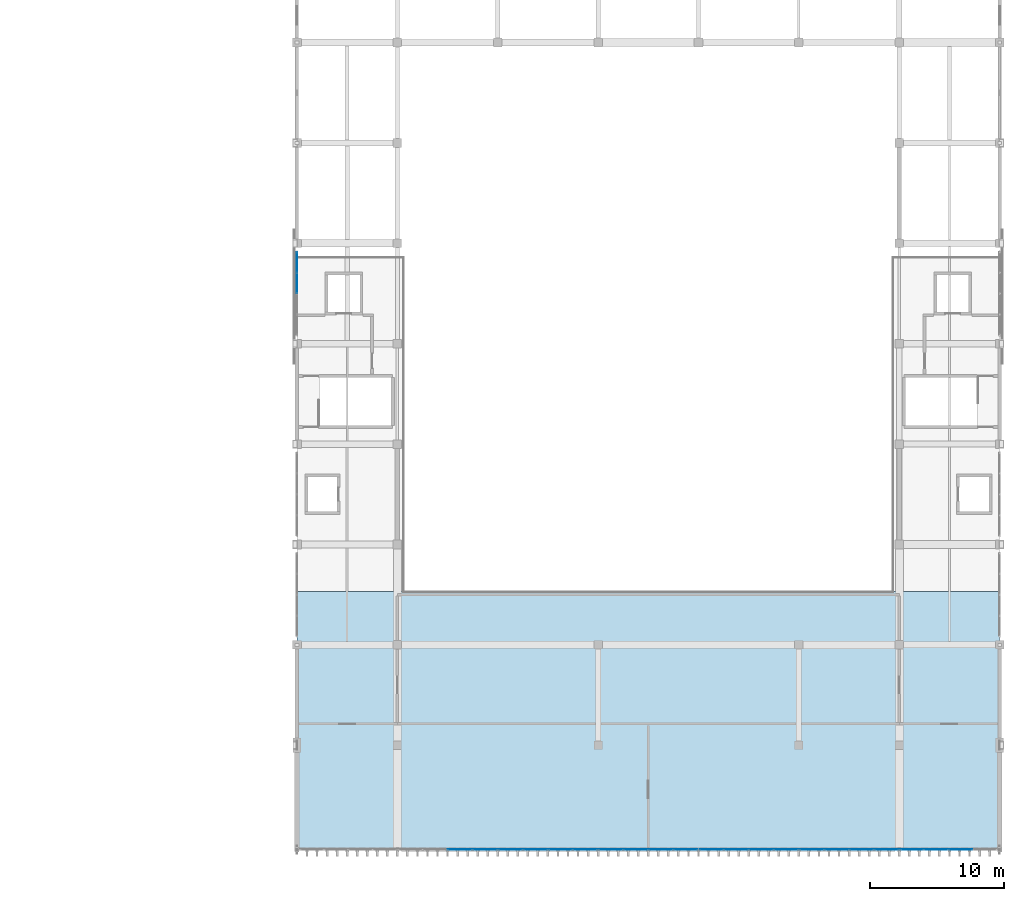
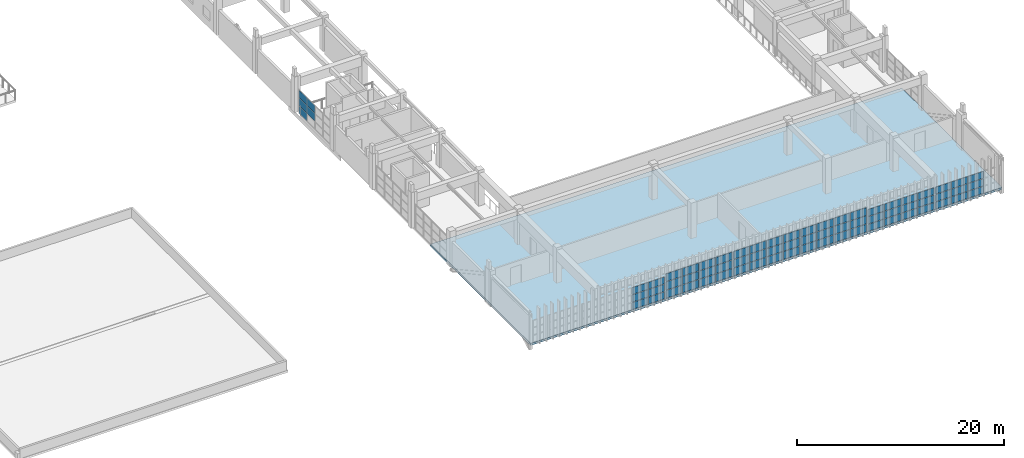
# One storey, part 25 of 51: 68 plates, 1 slab, 7 elements without a shape of their own.
"""IFC4 building model written with IfcOpenShell, lengths in metres."""

from ifc_helpers import new_model, si_unit, direction, frame, origin, origin_2d, place, context, subcontext, project, spatial, polyline, rectangle, outline, extrude, material, layer, layer_set, type_object, element, aggregate, save


model = new_model("IFC4")

# Units and contexts
model_context = context("Model", 3, precision=1e-05, world=origin(), true_north=direction((0.0, 1.0)))
body_context = subcontext(model_context, "Body", "Model", "MODEL_VIEW")
ifc_project = project(units=[si_unit("LENGTHUNIT", "METRE"), si_unit("AREAUNIT", "SQUARE_METRE"), si_unit("VOLUMEUNIT", "CUBIC_METRE"), si_unit("PLANEANGLEUNIT", "RADIAN"), si_unit("MASSUNIT", "GRAM", prefix="KILO")], contexts=[model_context])

# Site, building, storey
site_placement = place(None, origin())
site = spatial("IfcSite", under=ifc_project, at=site_placement, CompositionType="ELEMENT")
building_placement = place(site_placement, origin())
building = spatial("IfcBuilding", under=site, at=building_placement, Name="Qasida Concert Hall", CompositionType="ELEMENT")
storey_placement = place(building_placement, frame((0.0, 0.0, 21.0)))
storey = spatial("IfcBuildingStorey", under=building, at=storey_placement, Name="L05", CompositionType="ELEMENT", Elevation=21.0)

# Curtain wall, plates
ifc_material_1 = material(Name="Architectural bronze-anodized aluminium and low-E glass", Category="aluminium")
curtain_wall_type = type_object("IfcCurtainWallType", Name="CW-05", PredefinedType="NOTDEFINED", material=ifc_material_1)
curtain_wall_1_placement = place(storey_placement, origin())
curtain_wall_1 = element("IfcCurtainWall", 1, at=curtain_wall_1_placement, inside=storey, type_object=curtain_wall_type, Name="L05 curtain wall CW-05 0030", PredefinedType="NOTDEFINED")
ifc_material_2 = material(Name="Solar-control low-E double glazing", Category="glass")
ifc_layer_1 = layer(ifc_material_2, 0.028076171875, Name="Solar-control low-E double glazing")
ifc_layer_set_1 = layer_set([ifc_layer_1], Name="Solar-control low-E double glazing")
plate_type = type_object("IfcPlateType", Name="PLT-CWP-3", PredefinedType="CURTAIN_PANEL", material=ifc_layer_set_1)
plate_1_placement = place(storey_placement, frame((64.6826171875, 14.699951171875, 0.06005859375), z_axis=(0.0, 0.0, 1.0), x_axis=(1.0, 0.0, 0.0)))
plate_1 = element("IfcPlate", 2, at=plate_1_placement, type_object=plate_type, Name="CW-05 panel 3.1", PredefinedType="CURTAIN_PANEL", context=body_context, shape_type="SweptSolid", body=[
    extrude(rectangle(XDim=1.804931640625, YDim=0.028076171875, at=origin_2d()), origin(), (0.0, 0.0, 1.0), 0.806640625),
])
plate_2_placement = place(storey_placement, frame((64.6826171875, 14.699951171875, 0.9267578125), z_axis=(0.0, 0.0, 1.0), x_axis=(1.0, 0.0, 0.0)))
plate_2 = element("IfcPlate", 3, at=plate_2_placement, type_object=plate_type, Name="CW-05 panel 3.2", PredefinedType="CURTAIN_PANEL", context=body_context, shape_type="SweptSolid", body=[
    extrude(rectangle(XDim=1.804931640625, YDim=0.028076171875, at=origin_2d()), origin(), (0.0, 0.0, 1.0), 0.836669921875),
])
plate_3_placement = place(storey_placement, frame((64.6826171875, 14.699951171875, 1.8232421875), z_axis=(0.0, 0.0, 1.0), x_axis=(1.0, 0.0, 0.0)))
plate_3 = element("IfcPlate", 4, at=plate_3_placement, type_object=plate_type, Name="CW-05 panel 3.3", PredefinedType="CURTAIN_PANEL", context=body_context, shape_type="SweptSolid", body=[
    extrude(rectangle(XDim=1.804931640625, YDim=0.028076171875, at=origin_2d()), origin(), (0.0, 0.0, 1.0), 0.806640625),
])
plate_4_placement = place(storey_placement, frame((66.532470703125, 14.699951171875, 0.06005859375), z_axis=(0.0, 0.0, 1.0), x_axis=(1.0, 0.0, 0.0)))
plate_4 = element("IfcPlate", 5, at=plate_4_placement, type_object=plate_type, Name="CW-05 panel 4.1", PredefinedType="CURTAIN_PANEL", context=body_context, shape_type="SweptSolid", body=[
    extrude(rectangle(XDim=1.77490234375, YDim=0.028076171875, at=origin_2d()), origin(), (0.0, 0.0, 1.0), 0.806640625),
])
plate_5_placement = place(storey_placement, frame((66.532470703125, 14.699951171875, 0.9267578125), z_axis=(0.0, 0.0, 1.0), x_axis=(1.0, 0.0, 0.0)))
plate_5 = element("IfcPlate", 6, at=plate_5_placement, type_object=plate_type, Name="CW-05 panel 4.2", PredefinedType="CURTAIN_PANEL", context=body_context, shape_type="SweptSolid", body=[
    extrude(rectangle(XDim=1.77490234375, YDim=0.028076171875, at=origin_2d()), origin(), (0.0, 0.0, 1.0), 0.836669921875),
])
plate_6_placement = place(storey_placement, frame((66.532470703125, 14.699951171875, 1.8232421875), z_axis=(0.0, 0.0, 1.0), x_axis=(1.0, 0.0, 0.0)))
plate_6 = element("IfcPlate", 7, at=plate_6_placement, type_object=plate_type, Name="CW-05 panel 4.3", PredefinedType="CURTAIN_PANEL", context=body_context, shape_type="SweptSolid", body=[
    extrude(rectangle(XDim=1.77490234375, YDim=0.028076171875, at=origin_2d()), origin(), (0.0, 0.0, 1.0), 0.806640625),
])
aggregate(curtain_wall_1, [plate_1, plate_2, plate_3, plate_4, plate_5, plate_6])

curtain_wall_2_placement = place(storey_placement, origin())
curtain_wall_2 = element("IfcCurtainWall", 8, at=curtain_wall_2_placement, inside=storey, type_object=curtain_wall_type, Name="L05 curtain wall CW-05 0031", PredefinedType="NOTDEFINED")
plate_7_placement = place(storey_placement, frame((68.467529296875, 14.699951171875, 0.06005859375), z_axis=(0.0, 0.0, 1.0), x_axis=(1.0, 0.0, 0.0)))
plate_7 = element("IfcPlate", 9, at=plate_7_placement, type_object=plate_type, Name="CW-05 panel 1.1", PredefinedType="CURTAIN_PANEL", context=body_context, shape_type="SweptSolid", body=[
    extrude(rectangle(XDim=1.77490234375, YDim=0.028076171875, at=origin_2d()), origin(), (0.0, 0.0, 1.0), 0.90673828125),
])
plate_8_placement = place(storey_placement, frame((68.467529296875, 14.699951171875, 1.02685546875), z_axis=(0.0, 0.0, 1.0), x_axis=(1.0, 0.0, 0.0)))
plate_8 = element("IfcPlate", 10, at=plate_8_placement, type_object=plate_type, Name="CW-05 panel 1.2", PredefinedType="CURTAIN_PANEL", context=body_context, shape_type="SweptSolid", body=[
    extrude(rectangle(XDim=1.77490234375, YDim=0.028076171875, at=origin_2d()), origin(), (0.0, 0.0, 1.0), 0.9365234375),
])
plate_9_placement = place(storey_placement, frame((68.467529296875, 14.699951171875, 2.023193359375), z_axis=(0.0, 0.0, 1.0), x_axis=(1.0, 0.0, 0.0)))
plate_9 = element("IfcPlate", 11, at=plate_9_placement, type_object=plate_type, Name="CW-05 panel 1.3", PredefinedType="CURTAIN_PANEL", context=body_context, shape_type="SweptSolid", body=[
    extrude(rectangle(XDim=1.77490234375, YDim=0.028076171875, at=origin_2d()), origin(), (0.0, 0.0, 1.0), 0.90673828125),
])
plate_10_placement = place(storey_placement, frame((70.3173828125, 14.699951171875, 0.06005859375), z_axis=(0.0, 0.0, 1.0), x_axis=(1.0, 0.0, 0.0)))
plate_10 = element("IfcPlate", 12, at=plate_10_placement, type_object=plate_type, Name="CW-05 panel 2.1", PredefinedType="CURTAIN_PANEL", context=body_context, shape_type="SweptSolid", body=[
    extrude(rectangle(XDim=1.804931640625, YDim=0.028076171875, at=origin_2d()), origin(), (0.0, 0.0, 1.0), 0.90673828125),
])
plate_11_placement = place(storey_placement, frame((70.3173828125, 14.699951171875, 1.02685546875), z_axis=(0.0, 0.0, 1.0), x_axis=(1.0, 0.0, 0.0)))
plate_11 = element("IfcPlate", 13, at=plate_11_placement, type_object=plate_type, Name="CW-05 panel 2.2", PredefinedType="CURTAIN_PANEL", context=body_context, shape_type="SweptSolid", body=[
    extrude(rectangle(XDim=1.804931640625, YDim=0.028076171875, at=origin_2d()), origin(), (0.0, 0.0, 1.0), 0.9365234375),
])
plate_12_placement = place(storey_placement, frame((70.3173828125, 14.699951171875, 2.023193359375), z_axis=(0.0, 0.0, 1.0), x_axis=(1.0, 0.0, 0.0)))
plate_12 = element("IfcPlate", 14, at=plate_12_placement, type_object=plate_type, Name="CW-05 panel 2.3", PredefinedType="CURTAIN_PANEL", context=body_context, shape_type="SweptSolid", body=[
    extrude(rectangle(XDim=1.804931640625, YDim=0.028076171875, at=origin_2d()), origin(), (0.0, 0.0, 1.0), 0.90673828125),
])
plate_13_placement = place(storey_placement, frame((72.1826171875, 14.699951171875, 0.06005859375), z_axis=(0.0, 0.0, 1.0), x_axis=(1.0, 0.0, 0.0)))
plate_13 = element("IfcPlate", 15, at=plate_13_placement, type_object=plate_type, Name="CW-05 panel 3.1", PredefinedType="CURTAIN_PANEL", context=body_context, shape_type="SweptSolid", body=[
    extrude(rectangle(XDim=1.804931640625, YDim=0.028076171875, at=origin_2d()), origin(), (0.0, 0.0, 1.0), 0.90673828125),
])
plate_14_placement = place(storey_placement, frame((72.1826171875, 14.699951171875, 1.02685546875), z_axis=(0.0, 0.0, 1.0), x_axis=(1.0, 0.0, 0.0)))
plate_14 = element("IfcPlate", 16, at=plate_14_placement, type_object=plate_type, Name="CW-05 panel 3.2", PredefinedType="CURTAIN_PANEL", context=body_context, shape_type="SweptSolid", body=[
    extrude(rectangle(XDim=1.804931640625, YDim=0.028076171875, at=origin_2d()), origin(), (0.0, 0.0, 1.0), 0.9365234375),
])
plate_15_placement = place(storey_placement, frame((72.1826171875, 14.699951171875, 2.023193359375), z_axis=(0.0, 0.0, 1.0), x_axis=(1.0, 0.0, 0.0)))
plate_15 = element("IfcPlate", 17, at=plate_15_placement, type_object=plate_type, Name="CW-05 panel 3.3", PredefinedType="CURTAIN_PANEL", context=body_context, shape_type="SweptSolid", body=[
    extrude(rectangle(XDim=1.804931640625, YDim=0.028076171875, at=origin_2d()), origin(), (0.0, 0.0, 1.0), 0.90673828125),
])
plate_16_placement = place(storey_placement, frame((74.032470703125, 14.699951171875, 0.06005859375), z_axis=(0.0, 0.0, 1.0), x_axis=(1.0, 0.0, 0.0)))
plate_16 = element("IfcPlate", 18, at=plate_16_placement, type_object=plate_type, Name="CW-05 panel 4.1", PredefinedType="CURTAIN_PANEL", context=body_context, shape_type="SweptSolid", body=[
    extrude(rectangle(XDim=1.77490234375, YDim=0.028076171875, at=origin_2d()), origin(), (0.0, 0.0, 1.0), 0.90673828125),
])
plate_17_placement = place(storey_placement, frame((74.032470703125, 14.699951171875, 1.02685546875), z_axis=(0.0, 0.0, 1.0), x_axis=(1.0, 0.0, 0.0)))
plate_17 = element("IfcPlate", 19, at=plate_17_placement, type_object=plate_type, Name="CW-05 panel 4.2", PredefinedType="CURTAIN_PANEL", context=body_context, shape_type="SweptSolid", body=[
    extrude(rectangle(XDim=1.77490234375, YDim=0.028076171875, at=origin_2d()), origin(), (0.0, 0.0, 1.0), 0.9365234375),
])
plate_18_placement = place(storey_placement, frame((74.032470703125, 14.699951171875, 2.023193359375), z_axis=(0.0, 0.0, 1.0), x_axis=(1.0, 0.0, 0.0)))
plate_18 = element("IfcPlate", 20, at=plate_18_placement, type_object=plate_type, Name="CW-05 panel 4.3", PredefinedType="CURTAIN_PANEL", context=body_context, shape_type="SweptSolid", body=[
    extrude(rectangle(XDim=1.77490234375, YDim=0.028076171875, at=origin_2d()), origin(), (0.0, 0.0, 1.0), 0.90673828125),
])
aggregate(curtain_wall_2, [plate_7, plate_8, plate_9, plate_10, plate_11, plate_12, plate_13, plate_14, plate_15, plate_16, plate_17, plate_18])

curtain_wall_3_placement = place(storey_placement, origin())
curtain_wall_3 = element("IfcCurtainWall", 21, at=curtain_wall_3_placement, inside=storey, type_object=curtain_wall_type, Name="L05 curtain wall CW-05 0032", PredefinedType="NOTDEFINED")
plate_19_placement = place(storey_placement, frame((75.967529296875, 14.699951171875, 0.06005859375), z_axis=(0.0, 0.0, 1.0), x_axis=(1.0, 0.0, 0.0)))
plate_19 = element("IfcPlate", 22, at=plate_19_placement, type_object=plate_type, Name="CW-05 panel 1.1", PredefinedType="CURTAIN_PANEL", context=body_context, shape_type="SweptSolid", body=[
    extrude(rectangle(XDim=1.77490234375, YDim=0.028076171875, at=origin_2d()), origin(), (0.0, 0.0, 1.0), 0.90673828125),
])
plate_20_placement = place(storey_placement, frame((75.967529296875, 14.699951171875, 1.02685546875), z_axis=(0.0, 0.0, 1.0), x_axis=(1.0, 0.0, 0.0)))
plate_20 = element("IfcPlate", 23, at=plate_20_placement, type_object=plate_type, Name="CW-05 panel 1.2", PredefinedType="CURTAIN_PANEL", context=body_context, shape_type="SweptSolid", body=[
    extrude(rectangle(XDim=1.77490234375, YDim=0.028076171875, at=origin_2d()), origin(), (0.0, 0.0, 1.0), 0.9365234375),
])
plate_21_placement = place(storey_placement, frame((75.967529296875, 14.699951171875, 2.023193359375), z_axis=(0.0, 0.0, 1.0), x_axis=(1.0, 0.0, 0.0)))
plate_21 = element("IfcPlate", 24, at=plate_21_placement, type_object=plate_type, Name="CW-05 panel 1.3", PredefinedType="CURTAIN_PANEL", context=body_context, shape_type="SweptSolid", body=[
    extrude(rectangle(XDim=1.77490234375, YDim=0.028076171875, at=origin_2d()), origin(), (0.0, 0.0, 1.0), 0.90673828125),
])
plate_22_placement = place(storey_placement, frame((77.8173828125, 14.699951171875, 0.06005859375), z_axis=(0.0, 0.0, 1.0), x_axis=(1.0, 0.0, 0.0)))
plate_22 = element("IfcPlate", 25, at=plate_22_placement, type_object=plate_type, Name="CW-05 panel 2.1", PredefinedType="CURTAIN_PANEL", context=body_context, shape_type="SweptSolid", body=[
    extrude(rectangle(XDim=1.804931640625, YDim=0.028076171875, at=origin_2d()), origin(), (0.0, 0.0, 1.0), 0.90673828125),
])
plate_23_placement = place(storey_placement, frame((77.8173828125, 14.699951171875, 1.02685546875), z_axis=(0.0, 0.0, 1.0), x_axis=(1.0, 0.0, 0.0)))
plate_23 = element("IfcPlate", 26, at=plate_23_placement, type_object=plate_type, Name="CW-05 panel 2.2", PredefinedType="CURTAIN_PANEL", context=body_context, shape_type="SweptSolid", body=[
    extrude(rectangle(XDim=1.804931640625, YDim=0.028076171875, at=origin_2d()), origin(), (0.0, 0.0, 1.0), 0.9365234375),
])
plate_24_placement = place(storey_placement, frame((77.8173828125, 14.699951171875, 2.023193359375), z_axis=(0.0, 0.0, 1.0), x_axis=(1.0, 0.0, 0.0)))
plate_24 = element("IfcPlate", 27, at=plate_24_placement, type_object=plate_type, Name="CW-05 panel 2.3", PredefinedType="CURTAIN_PANEL", context=body_context, shape_type="SweptSolid", body=[
    extrude(rectangle(XDim=1.804931640625, YDim=0.028076171875, at=origin_2d()), origin(), (0.0, 0.0, 1.0), 0.90673828125),
])
plate_25_placement = place(storey_placement, frame((79.6826171875, 14.699951171875, 0.06005859375), z_axis=(0.0, 0.0, 1.0), x_axis=(1.0, 0.0, 0.0)))
plate_25 = element("IfcPlate", 28, at=plate_25_placement, type_object=plate_type, Name="CW-05 panel 3.1", PredefinedType="CURTAIN_PANEL", context=body_context, shape_type="SweptSolid", body=[
    extrude(rectangle(XDim=1.804931640625, YDim=0.028076171875, at=origin_2d()), origin(), (0.0, 0.0, 1.0), 0.90673828125),
])
plate_26_placement = place(storey_placement, frame((79.6826171875, 14.699951171875, 1.02685546875), z_axis=(0.0, 0.0, 1.0), x_axis=(1.0, 0.0, 0.0)))
plate_26 = element("IfcPlate", 29, at=plate_26_placement, type_object=plate_type, Name="CW-05 panel 3.2", PredefinedType="CURTAIN_PANEL", context=body_context, shape_type="SweptSolid", body=[
    extrude(rectangle(XDim=1.804931640625, YDim=0.028076171875, at=origin_2d()), origin(), (0.0, 0.0, 1.0), 0.9365234375),
])
plate_27_placement = place(storey_placement, frame((79.6826171875, 14.699951171875, 2.023193359375), z_axis=(0.0, 0.0, 1.0), x_axis=(1.0, 0.0, 0.0)))
plate_27 = element("IfcPlate", 30, at=plate_27_placement, type_object=plate_type, Name="CW-05 panel 3.3", PredefinedType="CURTAIN_PANEL", context=body_context, shape_type="SweptSolid", body=[
    extrude(rectangle(XDim=1.804931640625, YDim=0.028076171875, at=origin_2d()), origin(), (0.0, 0.0, 1.0), 0.90673828125),
])
plate_28_placement = place(storey_placement, frame((81.532470703125, 14.699951171875, 0.06005859375), z_axis=(0.0, 0.0, 1.0), x_axis=(1.0, 0.0, 0.0)))
plate_28 = element("IfcPlate", 31, at=plate_28_placement, type_object=plate_type, Name="CW-05 panel 4.1", PredefinedType="CURTAIN_PANEL", context=body_context, shape_type="SweptSolid", body=[
    extrude(rectangle(XDim=1.77490234375, YDim=0.028076171875, at=origin_2d()), origin(), (0.0, 0.0, 1.0), 0.90673828125),
])
plate_29_placement = place(storey_placement, frame((81.532470703125, 14.699951171875, 1.02685546875), z_axis=(0.0, 0.0, 1.0), x_axis=(1.0, 0.0, 0.0)))
plate_29 = element("IfcPlate", 32, at=plate_29_placement, type_object=plate_type, Name="CW-05 panel 4.2", PredefinedType="CURTAIN_PANEL", context=body_context, shape_type="SweptSolid", body=[
    extrude(rectangle(XDim=1.77490234375, YDim=0.028076171875, at=origin_2d()), origin(), (0.0, 0.0, 1.0), 0.9365234375),
])
plate_30_placement = place(storey_placement, frame((81.532470703125, 14.699951171875, 2.023193359375), z_axis=(0.0, 0.0, 1.0), x_axis=(1.0, 0.0, 0.0)))
plate_30 = element("IfcPlate", 33, at=plate_30_placement, type_object=plate_type, Name="CW-05 panel 4.3", PredefinedType="CURTAIN_PANEL", context=body_context, shape_type="SweptSolid", body=[
    extrude(rectangle(XDim=1.77490234375, YDim=0.028076171875, at=origin_2d()), origin(), (0.0, 0.0, 1.0), 0.90673828125),
])
aggregate(curtain_wall_3, [plate_19, plate_20, plate_21, plate_22, plate_23, plate_24, plate_25, plate_26, plate_27, plate_28, plate_29, plate_30])

curtain_wall_4_placement = place(storey_placement, origin())
curtain_wall_4 = element("IfcCurtainWall", 34, at=curtain_wall_4_placement, inside=storey, type_object=curtain_wall_type, Name="L05 curtain wall CW-05 0033", PredefinedType="NOTDEFINED")
plate_31_placement = place(storey_placement, frame((83.467529296875, 14.699951171875, 0.06005859375), z_axis=(0.0, 0.0, 1.0), x_axis=(1.0, 0.0, 0.0)))
plate_31 = element("IfcPlate", 35, at=plate_31_placement, type_object=plate_type, Name="CW-05 panel 1.1", PredefinedType="CURTAIN_PANEL", context=body_context, shape_type="SweptSolid", body=[
    extrude(rectangle(XDim=1.77490234375, YDim=0.028076171875, at=origin_2d()), origin(), (0.0, 0.0, 1.0), 0.90673828125),
])
plate_32_placement = place(storey_placement, frame((83.467529296875, 14.699951171875, 1.02685546875), z_axis=(0.0, 0.0, 1.0), x_axis=(1.0, 0.0, 0.0)))
plate_32 = element("IfcPlate", 36, at=plate_32_placement, type_object=plate_type, Name="CW-05 panel 1.2", PredefinedType="CURTAIN_PANEL", context=body_context, shape_type="SweptSolid", body=[
    extrude(rectangle(XDim=1.77490234375, YDim=0.028076171875, at=origin_2d()), origin(), (0.0, 0.0, 1.0), 0.9365234375),
])
plate_33_placement = place(storey_placement, frame((83.467529296875, 14.699951171875, 2.023193359375), z_axis=(0.0, 0.0, 1.0), x_axis=(1.0, 0.0, 0.0)))
plate_33 = element("IfcPlate", 37, at=plate_33_placement, type_object=plate_type, Name="CW-05 panel 1.3", PredefinedType="CURTAIN_PANEL", context=body_context, shape_type="SweptSolid", body=[
    extrude(rectangle(XDim=1.77490234375, YDim=0.028076171875, at=origin_2d()), origin(), (0.0, 0.0, 1.0), 0.90673828125),
])
plate_34_placement = place(storey_placement, frame((85.3173828125, 14.699951171875, 0.06005859375), z_axis=(0.0, 0.0, 1.0), x_axis=(1.0, 0.0, 0.0)))
plate_34 = element("IfcPlate", 38, at=plate_34_placement, type_object=plate_type, Name="CW-05 panel 2.1", PredefinedType="CURTAIN_PANEL", context=body_context, shape_type="SweptSolid", body=[
    extrude(rectangle(XDim=1.804931640625, YDim=0.028076171875, at=origin_2d()), origin(), (0.0, 0.0, 1.0), 0.90673828125),
])
plate_35_placement = place(storey_placement, frame((85.3173828125, 14.699951171875, 1.02685546875), z_axis=(0.0, 0.0, 1.0), x_axis=(1.0, 0.0, 0.0)))
plate_35 = element("IfcPlate", 39, at=plate_35_placement, type_object=plate_type, Name="CW-05 panel 2.2", PredefinedType="CURTAIN_PANEL", context=body_context, shape_type="SweptSolid", body=[
    extrude(rectangle(XDim=1.804931640625, YDim=0.028076171875, at=origin_2d()), origin(), (0.0, 0.0, 1.0), 0.9365234375),
])
plate_36_placement = place(storey_placement, frame((85.3173828125, 14.699951171875, 2.023193359375), z_axis=(0.0, 0.0, 1.0), x_axis=(1.0, 0.0, 0.0)))
plate_36 = element("IfcPlate", 40, at=plate_36_placement, type_object=plate_type, Name="CW-05 panel 2.3", PredefinedType="CURTAIN_PANEL", context=body_context, shape_type="SweptSolid", body=[
    extrude(rectangle(XDim=1.804931640625, YDim=0.028076171875, at=origin_2d()), origin(), (0.0, 0.0, 1.0), 0.90673828125),
])
plate_37_placement = place(storey_placement, frame((87.1826171875, 14.699951171875, 0.06005859375), z_axis=(0.0, 0.0, 1.0), x_axis=(1.0, 0.0, 0.0)))
plate_37 = element("IfcPlate", 41, at=plate_37_placement, type_object=plate_type, Name="CW-05 panel 3.1", PredefinedType="CURTAIN_PANEL", context=body_context, shape_type="SweptSolid", body=[
    extrude(rectangle(XDim=1.804931640625, YDim=0.028076171875, at=origin_2d()), origin(), (0.0, 0.0, 1.0), 0.90673828125),
])
plate_38_placement = place(storey_placement, frame((87.1826171875, 14.699951171875, 1.02685546875), z_axis=(0.0, 0.0, 1.0), x_axis=(1.0, 0.0, 0.0)))
plate_38 = element("IfcPlate", 42, at=plate_38_placement, type_object=plate_type, Name="CW-05 panel 3.2", PredefinedType="CURTAIN_PANEL", context=body_context, shape_type="SweptSolid", body=[
    extrude(rectangle(XDim=1.804931640625, YDim=0.028076171875, at=origin_2d()), origin(), (0.0, 0.0, 1.0), 0.9365234375),
])
plate_39_placement = place(storey_placement, frame((87.1826171875, 14.699951171875, 2.023193359375), z_axis=(0.0, 0.0, 1.0), x_axis=(1.0, 0.0, 0.0)))
plate_39 = element("IfcPlate", 43, at=plate_39_placement, type_object=plate_type, Name="CW-05 panel 3.3", PredefinedType="CURTAIN_PANEL", context=body_context, shape_type="SweptSolid", body=[
    extrude(rectangle(XDim=1.804931640625, YDim=0.028076171875, at=origin_2d()), origin(), (0.0, 0.0, 1.0), 0.90673828125),
])
plate_40_placement = place(storey_placement, frame((89.032470703125, 14.699951171875, 0.06005859375), z_axis=(0.0, 0.0, 1.0), x_axis=(1.0, 0.0, 0.0)))
plate_40 = element("IfcPlate", 44, at=plate_40_placement, type_object=plate_type, Name="CW-05 panel 4.1", PredefinedType="CURTAIN_PANEL", context=body_context, shape_type="SweptSolid", body=[
    extrude(rectangle(XDim=1.77490234375, YDim=0.028076171875, at=origin_2d()), origin(), (0.0, 0.0, 1.0), 0.90673828125),
])
plate_41_placement = place(storey_placement, frame((89.032470703125, 14.699951171875, 1.02685546875), z_axis=(0.0, 0.0, 1.0), x_axis=(1.0, 0.0, 0.0)))
plate_41 = element("IfcPlate", 45, at=plate_41_placement, type_object=plate_type, Name="CW-05 panel 4.2", PredefinedType="CURTAIN_PANEL", context=body_context, shape_type="SweptSolid", body=[
    extrude(rectangle(XDim=1.77490234375, YDim=0.028076171875, at=origin_2d()), origin(), (0.0, 0.0, 1.0), 0.9365234375),
])
plate_42_placement = place(storey_placement, frame((89.032470703125, 14.699951171875, 2.023193359375), z_axis=(0.0, 0.0, 1.0), x_axis=(1.0, 0.0, 0.0)))
plate_42 = element("IfcPlate", 46, at=plate_42_placement, type_object=plate_type, Name="CW-05 panel 4.3", PredefinedType="CURTAIN_PANEL", context=body_context, shape_type="SweptSolid", body=[
    extrude(rectangle(XDim=1.77490234375, YDim=0.028076171875, at=origin_2d()), origin(), (0.0, 0.0, 1.0), 0.90673828125),
])
aggregate(curtain_wall_4, [plate_31, plate_32, plate_33, plate_34, plate_35, plate_36, plate_37, plate_38, plate_39, plate_40, plate_41, plate_42])

curtain_wall_5_placement = place(storey_placement, origin())
curtain_wall_5 = element("IfcCurtainWall", 47, at=curtain_wall_5_placement, inside=storey, type_object=curtain_wall_type, Name="L05 curtain wall CW-05 0034", PredefinedType="NOTDEFINED")
plate_43_placement = place(storey_placement, frame((90.967529296875, 14.699951171875, 0.06005859375), z_axis=(0.0, 0.0, 1.0), x_axis=(1.0, 0.0, 0.0)))
plate_43 = element("IfcPlate", 48, at=plate_43_placement, type_object=plate_type, Name="CW-05 panel 1.1", PredefinedType="CURTAIN_PANEL", context=body_context, shape_type="SweptSolid", body=[
    extrude(rectangle(XDim=1.77490234375, YDim=0.028076171875, at=origin_2d()), origin(), (0.0, 0.0, 1.0), 0.806640625),
])
plate_44_placement = place(storey_placement, frame((90.967529296875, 14.699951171875, 0.9267578125), z_axis=(0.0, 0.0, 1.0), x_axis=(1.0, 0.0, 0.0)))
plate_44 = element("IfcPlate", 49, at=plate_44_placement, type_object=plate_type, Name="CW-05 panel 1.2", PredefinedType="CURTAIN_PANEL", context=body_context, shape_type="SweptSolid", body=[
    extrude(rectangle(XDim=1.77490234375, YDim=0.028076171875, at=origin_2d()), origin(), (0.0, 0.0, 1.0), 0.836669921875),
])
plate_45_placement = place(storey_placement, frame((90.967529296875, 14.699951171875, 1.8232421875), z_axis=(0.0, 0.0, 1.0), x_axis=(1.0, 0.0, 0.0)))
plate_45 = element("IfcPlate", 50, at=plate_45_placement, type_object=plate_type, Name="CW-05 panel 1.3", PredefinedType="CURTAIN_PANEL", context=body_context, shape_type="SweptSolid", body=[
    extrude(rectangle(XDim=1.77490234375, YDim=0.028076171875, at=origin_2d()), origin(), (0.0, 0.0, 1.0), 0.806640625),
])
plate_46_placement = place(storey_placement, frame((92.8173828125, 14.699951171875, 0.06005859375), z_axis=(0.0, 0.0, 1.0), x_axis=(1.0, 0.0, 0.0)))
plate_46 = element("IfcPlate", 51, at=plate_46_placement, type_object=plate_type, Name="CW-05 panel 2.1", PredefinedType="CURTAIN_PANEL", context=body_context, shape_type="SweptSolid", body=[
    extrude(rectangle(XDim=1.804931640625, YDim=0.028076171875, at=origin_2d()), origin(), (0.0, 0.0, 1.0), 0.806640625),
])
plate_47_placement = place(storey_placement, frame((92.8173828125, 14.699951171875, 0.9267578125), z_axis=(0.0, 0.0, 1.0), x_axis=(1.0, 0.0, 0.0)))
plate_47 = element("IfcPlate", 52, at=plate_47_placement, type_object=plate_type, Name="CW-05 panel 2.2", PredefinedType="CURTAIN_PANEL", context=body_context, shape_type="SweptSolid", body=[
    extrude(rectangle(XDim=1.804931640625, YDim=0.028076171875, at=origin_2d()), origin(), (0.0, 0.0, 1.0), 0.836669921875),
])
plate_48_placement = place(storey_placement, frame((92.8173828125, 14.699951171875, 1.8232421875), z_axis=(0.0, 0.0, 1.0), x_axis=(1.0, 0.0, 0.0)))
plate_48 = element("IfcPlate", 53, at=plate_48_placement, type_object=plate_type, Name="CW-05 panel 2.3", PredefinedType="CURTAIN_PANEL", context=body_context, shape_type="SweptSolid", body=[
    extrude(rectangle(XDim=1.804931640625, YDim=0.028076171875, at=origin_2d()), origin(), (0.0, 0.0, 1.0), 0.806640625),
])
plate_49_placement = place(storey_placement, frame((94.6826171875, 14.699951171875, 0.06005859375), z_axis=(0.0, 0.0, 1.0), x_axis=(1.0, 0.0, 0.0)))
plate_49 = element("IfcPlate", 54, at=plate_49_placement, type_object=plate_type, Name="CW-05 panel 3.1", PredefinedType="CURTAIN_PANEL", context=body_context, shape_type="SweptSolid", body=[
    extrude(rectangle(XDim=1.804931640625, YDim=0.028076171875, at=origin_2d()), origin(), (0.0, 0.0, 1.0), 0.806640625),
])
plate_50_placement = place(storey_placement, frame((94.6826171875, 14.699951171875, 0.9267578125), z_axis=(0.0, 0.0, 1.0), x_axis=(1.0, 0.0, 0.0)))
plate_50 = element("IfcPlate", 55, at=plate_50_placement, type_object=plate_type, Name="CW-05 panel 3.2", PredefinedType="CURTAIN_PANEL", context=body_context, shape_type="SweptSolid", body=[
    extrude(rectangle(XDim=1.804931640625, YDim=0.028076171875, at=origin_2d()), origin(), (0.0, 0.0, 1.0), 0.836669921875),
])
plate_51_placement = place(storey_placement, frame((94.6826171875, 14.699951171875, 1.8232421875), z_axis=(0.0, 0.0, 1.0), x_axis=(1.0, 0.0, 0.0)))
plate_51 = element("IfcPlate", 56, at=plate_51_placement, type_object=plate_type, Name="CW-05 panel 3.3", PredefinedType="CURTAIN_PANEL", context=body_context, shape_type="SweptSolid", body=[
    extrude(rectangle(XDim=1.804931640625, YDim=0.028076171875, at=origin_2d()), origin(), (0.0, 0.0, 1.0), 0.806640625),
])
plate_52_placement = place(storey_placement, frame((96.532470703125, 14.699951171875, 0.06005859375), z_axis=(0.0, 0.0, 1.0), x_axis=(1.0, 0.0, 0.0)))
plate_52 = element("IfcPlate", 57, at=plate_52_placement, type_object=plate_type, Name="CW-05 panel 4.1", PredefinedType="CURTAIN_PANEL", context=body_context, shape_type="SweptSolid", body=[
    extrude(rectangle(XDim=1.77490234375, YDim=0.028076171875, at=origin_2d()), origin(), (0.0, 0.0, 1.0), 0.806640625),
])
plate_53_placement = place(storey_placement, frame((96.532470703125, 14.699951171875, 0.9267578125), z_axis=(0.0, 0.0, 1.0), x_axis=(1.0, 0.0, 0.0)))
plate_53 = element("IfcPlate", 58, at=plate_53_placement, type_object=plate_type, Name="CW-05 panel 4.2", PredefinedType="CURTAIN_PANEL", context=body_context, shape_type="SweptSolid", body=[
    extrude(rectangle(XDim=1.77490234375, YDim=0.028076171875, at=origin_2d()), origin(), (0.0, 0.0, 1.0), 0.836669921875),
])
plate_54_placement = place(storey_placement, frame((96.532470703125, 14.699951171875, 1.8232421875), z_axis=(0.0, 0.0, 1.0), x_axis=(1.0, 0.0, 0.0)))
plate_54 = element("IfcPlate", 59, at=plate_54_placement, type_object=plate_type, Name="CW-05 panel 4.3", PredefinedType="CURTAIN_PANEL", context=body_context, shape_type="SweptSolid", body=[
    extrude(rectangle(XDim=1.77490234375, YDim=0.028076171875, at=origin_2d()), origin(), (0.0, 0.0, 1.0), 0.806640625),
])
aggregate(curtain_wall_5, [plate_43, plate_44, plate_45, plate_46, plate_47, plate_48, plate_49, plate_50, plate_51, plate_52, plate_53, plate_54])

curtain_wall_6_placement = place(storey_placement, origin())
curtain_wall_6 = element("IfcCurtainWall", 60, at=curtain_wall_6_placement, inside=storey, type_object=curtain_wall_type, Name="L05 curtain wall CW-05 0035", PredefinedType="NOTDEFINED")
plate_55_placement = place(storey_placement, frame((98.445068359375, 14.699951171875, 0.06005859375), z_axis=(0.0, 0.0, 1.0), x_axis=(1.0, 0.0, 0.0)))
plate_55 = element("IfcPlate", 61, at=plate_55_placement, type_object=plate_type, Name="CW-05 panel 1.1", PredefinedType="CURTAIN_PANEL", context=body_context, shape_type="SweptSolid", body=[
    extrude(rectangle(XDim=1.72998046875, YDim=0.028076171875, at=origin_2d()), origin(), (0.0, 0.0, 1.0), 0.806640625),
])
plate_56_placement = place(storey_placement, frame((98.445068359375, 14.699951171875, 0.9267578125), z_axis=(0.0, 0.0, 1.0), x_axis=(1.0, 0.0, 0.0)))
plate_56 = element("IfcPlate", 62, at=plate_56_placement, type_object=plate_type, Name="CW-05 panel 1.2", PredefinedType="CURTAIN_PANEL", context=body_context, shape_type="SweptSolid", body=[
    extrude(rectangle(XDim=1.72998046875, YDim=0.028076171875, at=origin_2d()), origin(), (0.0, 0.0, 1.0), 0.836669921875),
])
plate_57_placement = place(storey_placement, frame((98.445068359375, 14.699951171875, 1.8232421875), z_axis=(0.0, 0.0, 1.0), x_axis=(1.0, 0.0, 0.0)))
plate_57 = element("IfcPlate", 63, at=plate_57_placement, type_object=plate_type, Name="CW-05 panel 1.3", PredefinedType="CURTAIN_PANEL", context=body_context, shape_type="SweptSolid", body=[
    extrude(rectangle(XDim=1.72998046875, YDim=0.028076171875, at=origin_2d()), origin(), (0.0, 0.0, 1.0), 0.806640625),
])
plate_58_placement = place(storey_placement, frame((100.25, 14.699951171875, 0.06005859375), z_axis=(0.0, 0.0, 1.0), x_axis=(1.0, 0.0, 0.0)))
plate_58 = element("IfcPlate", 64, at=plate_58_placement, type_object=plate_type, Name="CW-05 panel 2.1", PredefinedType="CURTAIN_PANEL", context=body_context, shape_type="SweptSolid", body=[
    extrude(rectangle(XDim=1.760009765625, YDim=0.028076171875, at=origin_2d()), origin(), (0.0, 0.0, 1.0), 0.806640625),
])
plate_59_placement = place(storey_placement, frame((100.25, 14.699951171875, 0.9267578125), z_axis=(0.0, 0.0, 1.0), x_axis=(1.0, 0.0, 0.0)))
plate_59 = element("IfcPlate", 65, at=plate_59_placement, type_object=plate_type, Name="CW-05 panel 2.2", PredefinedType="CURTAIN_PANEL", context=body_context, shape_type="SweptSolid", body=[
    extrude(rectangle(XDim=1.760009765625, YDim=0.028076171875, at=origin_2d()), origin(), (0.0, 0.0, 1.0), 0.836669921875),
])
plate_60_placement = place(storey_placement, frame((100.25, 14.699951171875, 1.8232421875), z_axis=(0.0, 0.0, 1.0), x_axis=(1.0, 0.0, 0.0)))
plate_60 = element("IfcPlate", 66, at=plate_60_placement, type_object=plate_type, Name="CW-05 panel 2.3", PredefinedType="CURTAIN_PANEL", context=body_context, shape_type="SweptSolid", body=[
    extrude(rectangle(XDim=1.760009765625, YDim=0.028076171875, at=origin_2d()), origin(), (0.0, 0.0, 1.0), 0.806640625),
])
plate_61_placement = place(storey_placement, frame((102.070068359375, 14.699951171875, 0.06005859375), z_axis=(0.0, 0.0, 1.0), x_axis=(1.0, 0.0, 0.0)))
plate_61 = element("IfcPlate", 67, at=plate_61_placement, type_object=plate_type, Name="CW-05 panel 3.1", PredefinedType="CURTAIN_PANEL", context=body_context, shape_type="SweptSolid", body=[
    extrude(rectangle(XDim=1.760009765625, YDim=0.028076171875, at=origin_2d()), origin(), (0.0, 0.0, 1.0), 0.806640625),
])
plate_62_placement = place(storey_placement, frame((102.070068359375, 14.699951171875, 0.9267578125), z_axis=(0.0, 0.0, 1.0), x_axis=(1.0, 0.0, 0.0)))
plate_62 = element("IfcPlate", 68, at=plate_62_placement, type_object=plate_type, Name="CW-05 panel 3.2", PredefinedType="CURTAIN_PANEL", context=body_context, shape_type="SweptSolid", body=[
    extrude(rectangle(XDim=1.760009765625, YDim=0.028076171875, at=origin_2d()), origin(), (0.0, 0.0, 1.0), 0.836669921875),
])
plate_63_placement = place(storey_placement, frame((102.070068359375, 14.699951171875, 1.8232421875), z_axis=(0.0, 0.0, 1.0), x_axis=(1.0, 0.0, 0.0)))
plate_63 = element("IfcPlate", 69, at=plate_63_placement, type_object=plate_type, Name="CW-05 panel 3.3", PredefinedType="CURTAIN_PANEL", context=body_context, shape_type="SweptSolid", body=[
    extrude(rectangle(XDim=1.760009765625, YDim=0.028076171875, at=origin_2d()), origin(), (0.0, 0.0, 1.0), 0.806640625),
])
aggregate(curtain_wall_6, [plate_55, plate_56, plate_57, plate_58, plate_59, plate_60, plate_61, plate_62, plate_63])

curtain_wall_7_placement = place(storey_placement, origin())
curtain_wall_7 = element("IfcCurtainWall", 70, at=curtain_wall_7_placement, inside=storey, type_object=curtain_wall_type, Name="L05 curtain wall CW-05 0066", PredefinedType="NOTDEFINED")
plate_64_placement = place(storey_placement, frame((52.5, 57.032470703125, 0.9765625), z_axis=(0.0, 0.0, 1.0), x_axis=(0.0, 1.0, 0.0)))
plate_64 = element("IfcPlate", 71, at=plate_64_placement, type_object=plate_type, Name="CW-05 panel 3.2", PredefinedType="CURTAIN_PANEL", context=body_context, shape_type="SweptSolid", body=[
    extrude(rectangle(XDim=1.5048828125, YDim=0.028076171875, at=origin_2d()), origin(), (0.0, 0.0, 1.0), 0.88671875),
])
plate_65_placement = place(storey_placement, frame((52.5, 57.032470703125, 1.92333984375), z_axis=(0.0, 0.0, 1.0), x_axis=(0.0, 1.0, 0.0)))
plate_65 = element("IfcPlate", 72, at=plate_65_placement, type_object=plate_type, Name="CW-05 panel 3.3", PredefinedType="CURTAIN_PANEL", context=body_context, shape_type="SweptSolid", body=[
    extrude(rectangle(XDim=1.5048828125, YDim=0.028076171875, at=origin_2d()), origin(), (0.0, 0.0, 1.0), 0.856689453125),
])
plate_66_placement = place(storey_placement, frame((52.5, 58.58251953125, 0.06005859375), z_axis=(0.0, 0.0, 1.0), x_axis=(0.0, 1.0, 0.0)))
plate_66 = element("IfcPlate", 73, at=plate_66_placement, type_object=plate_type, Name="CW-05 panel 4.1", PredefinedType="CURTAIN_PANEL", context=body_context, shape_type="SweptSolid", body=[
    extrude(rectangle(XDim=1.47509765625, YDim=0.028076171875, at=origin_2d()), origin(), (0.0, 0.0, 1.0), 0.856689453125),
])
plate_67_placement = place(storey_placement, frame((52.5, 58.58251953125, 0.9765625), z_axis=(0.0, 0.0, 1.0), x_axis=(0.0, 1.0, 0.0)))
plate_67 = element("IfcPlate", 74, at=plate_67_placement, type_object=plate_type, Name="CW-05 panel 4.2", PredefinedType="CURTAIN_PANEL", context=body_context, shape_type="SweptSolid", body=[
    extrude(rectangle(XDim=1.47509765625, YDim=0.028076171875, at=origin_2d()), origin(), (0.0, 0.0, 1.0), 0.88671875),
])
plate_68_placement = place(storey_placement, frame((52.5, 58.58251953125, 1.92333984375), z_axis=(0.0, 0.0, 1.0), x_axis=(0.0, 1.0, 0.0)))
plate_68 = element("IfcPlate", 75, at=plate_68_placement, type_object=plate_type, Name="CW-05 panel 4.3", PredefinedType="CURTAIN_PANEL", context=body_context, shape_type="SweptSolid", body=[
    extrude(rectangle(XDim=1.47509765625, YDim=0.028076171875, at=origin_2d()), origin(), (0.0, 0.0, 1.0), 0.856689453125),
])
aggregate(curtain_wall_7, [plate_64, plate_65, plate_66, plate_67, plate_68])

# Slab
ifc_material_3 = material(Name="Concrete C40/50", Category="concrete")
ifc_layer_2 = layer(ifc_material_3, 0.239990234375, Name="Concrete C40/50")
ifc_layer_set_2 = layer_set([ifc_layer_2], Name="Concrete C40/50")
slab_type = type_object("IfcSlabType", Name="SL-FS-240", PredefinedType="FLOOR", material=ifc_layer_set_2)
slab_placement = place(storey_placement, frame((0.0, 0.0, -0.239990234375)))
element("IfcSlab", 76, at=slab_placement, inside=storey, type_object=slab_type, Name="V1 technical gallery south (FS-240)", PredefinedType="FLOOR", context=body_context, shape_type="SweptSolid", body=[
    extrude(outline(polyline([(52.5, 14.699951171875), (105.0, 14.699951171875), (105.0, 34.0), (52.5, 34.0), (52.5, 14.699951171875)])), origin(), (0.0, 0.0, 1.0), 0.239990234375),
])

save(model, "model.ifc")
